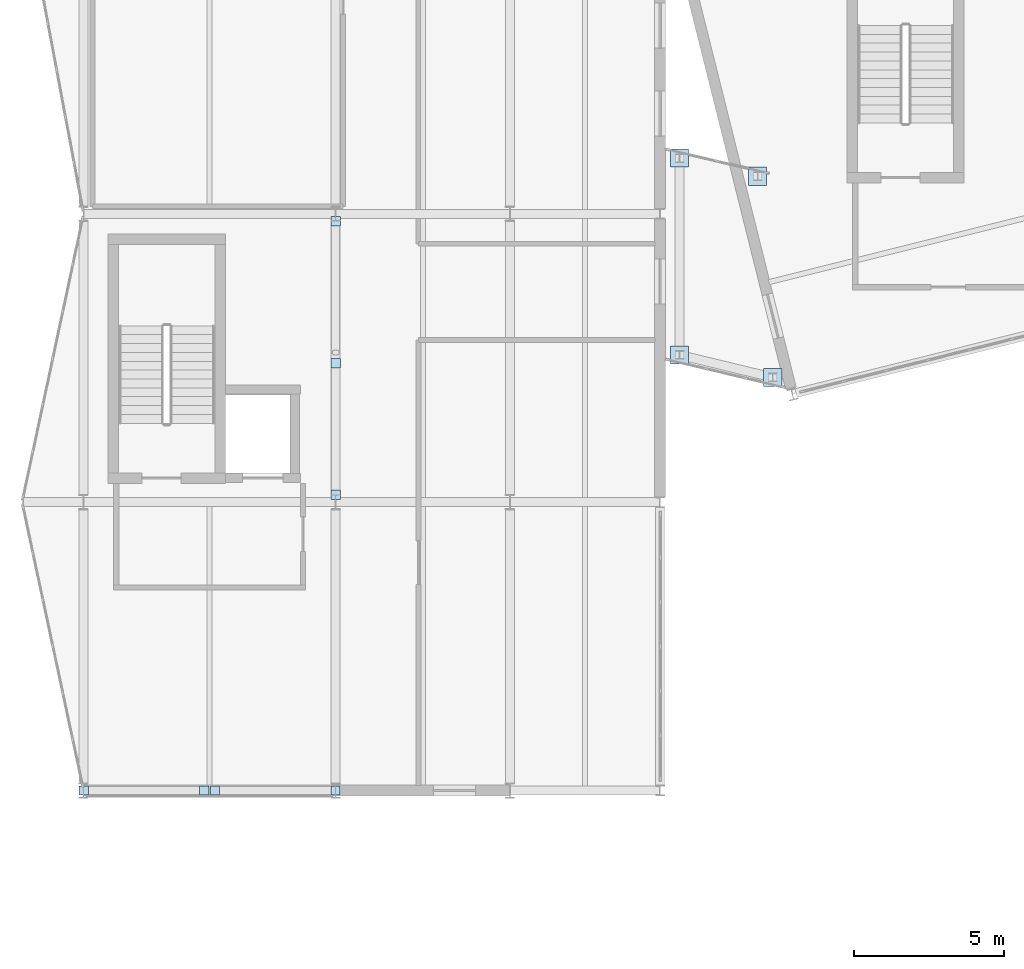
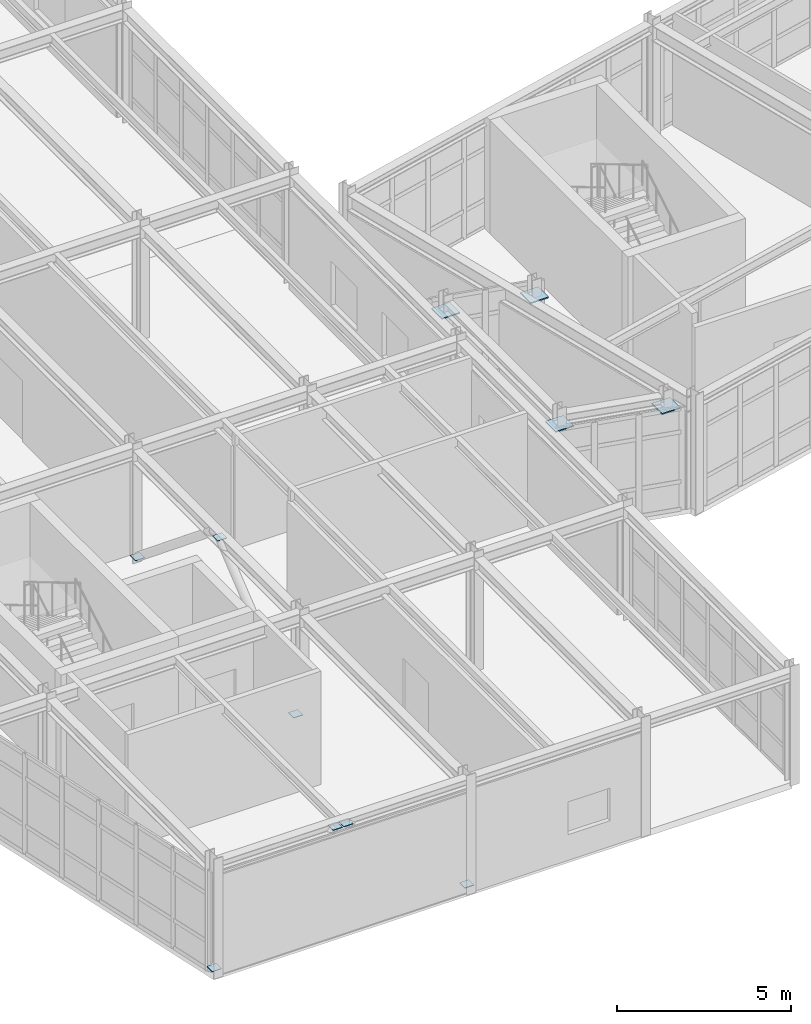
# One storey, part 58 of 76: 11 plates.
"""IFC4 building model written with IfcOpenShell, lengths in metres."""

from ifc_helpers import new_model, si_unit, direction, frame, origin, origin_2d, place, context, subcontext, project, spatial, rectangle, extrude, material, layer, layer_set, type_object, element, save


model = new_model("IFC4")

# Units and contexts
model_context = context("Model", 3, precision=1e-05, world=origin(), true_north=direction((0.0, 1.0)))
body_context = subcontext(model_context, "Body", "Model", "MODEL_VIEW")
ifc_project = project(units=[si_unit("LENGTHUNIT", "METRE"), si_unit("AREAUNIT", "SQUARE_METRE"), si_unit("VOLUMEUNIT", "CUBIC_METRE"), si_unit("PLANEANGLEUNIT", "RADIAN"), si_unit("MASSUNIT", "GRAM", prefix="KILO")], contexts=[model_context])

# Site, building, storey
site_placement = place(None, origin())
site = spatial("IfcSite", under=ifc_project, at=site_placement, CompositionType="ELEMENT")
building_placement = place(site_placement, origin())
building = spatial("IfcBuilding", under=site, at=building_placement, Name="Nordkorset Police Headquarters", CompositionType="ELEMENT")
storey_placement = place(building_placement, frame((0.0, 0.0, 13.64990234375)))
storey = spatial("IfcBuildingStorey", under=building, at=storey_placement, Name="L03", CompositionType="ELEMENT", Elevation=13.64990234375)

# Plates
ifc_material_1 = material(Name="Steel S355J2", Category="steel")
ifc_layer_1 = layer(ifc_material_1, 0.02001953125, Name="Steel S355J2")
ifc_layer_set_1 = layer_set([ifc_layer_1], Name="Steel S355J2")
plate_type_1 = type_object("IfcPlateType", Name="SteelPlate_20mm", PredefinedType="SHEET", material=ifc_layer_set_1)
for number, where, z_axis, x_axis, name in (
    (1, (8.39990234375, 38.64990234375, 0.190185546875), (0.0, 0.0, 1.0), (1.0, 0.0, 0.0), "Hollow Section End Cap Plate BF-V3-A-L03-D1-0"),
    (2, (8.39990234375, 43.02001953125, 3.75), (0.0, 0.0, 1.0), (1.0, 0.0, 0.0), "Hollow Section End Cap Plate BF-V3-A-L03-D1-1"),
    (3, (8.39990234375, 47.75, 0.190185546875), (0.0, 0.0, 1.0), (1.0, 0.0, 0.0), "Hollow Section End Cap Plate BF-V3-A-L03-D2-0"),
    (4, (0.00732421875, 28.800048828125, 0.190185546875), (0.0, 0.0, 1.0), (1.0, 0.0, 0.0), "Hollow Section End Cap Plate BF-EXT-V3S-L03-D1-0"),
    (5, (4.02001953125, 28.800048828125, 3.75), (0.0, 0.0, 1.0), (1.0, 0.0, 0.0), "Hollow Section End Cap Plate BF-EXT-V3S-L03-D1-1"),
    (6, (8.392578125, 28.800048828125, 0.190185546875), (0.0, 0.0, 1.0), (1.0, 0.0, 0.0), "Hollow Section End Cap Plate BF-EXT-V3S-L03-D2-0"),
    (7, (4.3798828125, 28.800048828125, 3.75), (0.0, 0.0, 1.0), (1.0, 0.0, 0.0), "Hollow Section End Cap Plate BF-EXT-V3S-L03-D2-1"),
):
    element("IfcPlate", number, at=place(storey_placement, frame(where, z_axis=z_axis, x_axis=x_axis)), inside=storey, type_object=plate_type_1, Name=name, PredefinedType="SHEET", context=body_context, shape_type="SweptSolid", body=[
        extrude(rectangle(XDim=0.31298828125, YDim=0.31298828125, at=origin_2d()), origin(), (0.0, 0.0, 1.0), 0.02001953125),
    ])
ifc_material_2 = material(Name="Steel S355J2", Category="steel")
ifc_layer_2 = layer(ifc_material_2, 0.0400390625, Name="Steel S355J2")
ifc_layer_set_2 = layer_set([ifc_layer_2], Name="Steel S355J2")
plate_type_2 = type_object("IfcPlateType", Name="SteelPlate_40mm", PredefinedType="SHEET", material=ifc_layer_set_2)
for number, where, z_axis, x_axis, name in (
    (8, (19.85009765625, 43.300048828125, 3.531005859375), (0.0, 0.0, 1.0), (1.0, 0.0, 0.0), "Bridge Bearing Seat Plate 600mm BRG-W L03 1"),
    (9, (22.949951171875, 42.550048828125, 3.531005859375), (0.0, 0.0, 1.0), (1.0, 0.0, 0.0), "Bridge Bearing Seat Plate 600mm BRG-W L03 2"),
    (10, (19.85009765625, 49.85009765625, 3.531005859375), (0.0, 0.0, 1.0), (1.0, 0.0, 0.0), "Bridge Bearing Seat Plate 600mm BRG-W L03 3"),
    (11, (22.449951171875, 49.25, 3.531005859375), (0.0, 0.0, 1.0), (1.0, 0.0, 0.0), "Bridge Bearing Seat Plate 600mm BRG-W L03 4"),
):
    element("IfcPlate", number, at=place(storey_placement, frame(where, z_axis=z_axis, x_axis=x_axis)), inside=storey, type_object=plate_type_2, Name=name, PredefinedType="SHEET", context=body_context, shape_type="SweptSolid", body=[
        extrude(rectangle(XDim=0.60009765625, YDim=0.60009765625, at=origin_2d()), origin(), (0.0, 0.0, 1.0), 0.0400390625),
    ])

save(model, "model.ifc")
